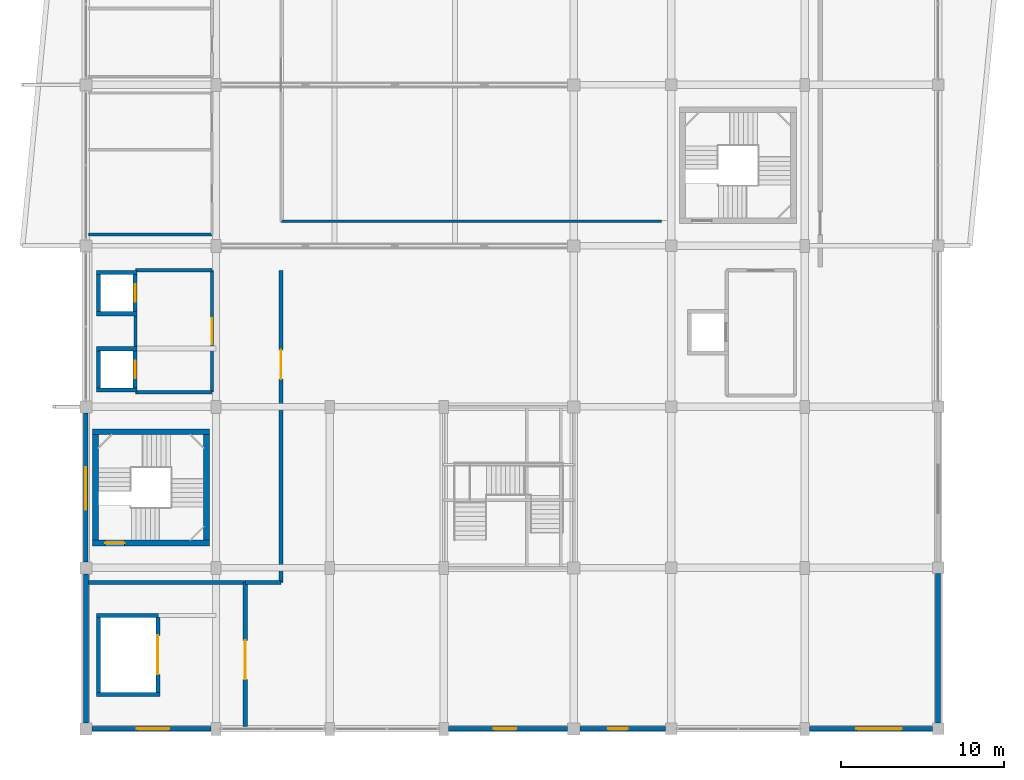
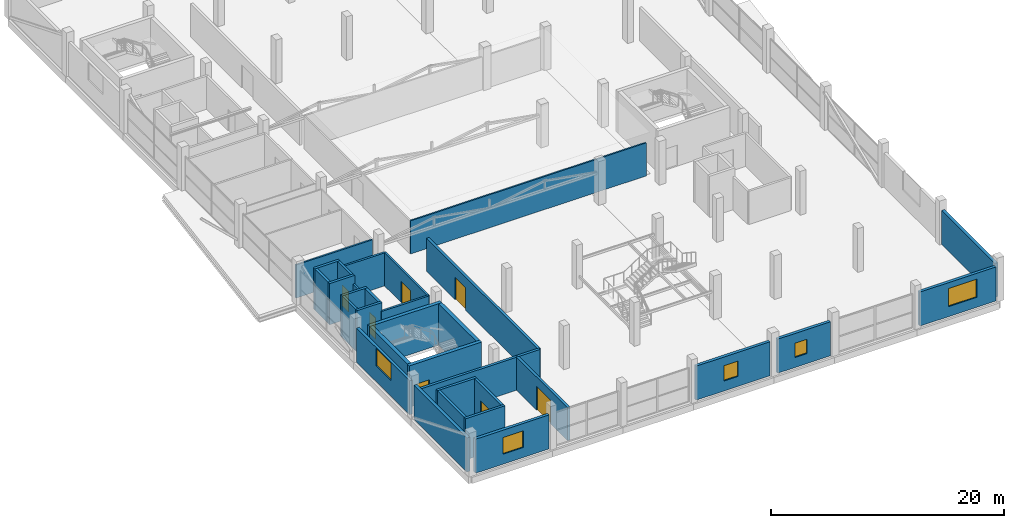
# One storey, part 41 of 58: 33 walls, 7 doors, 5 windows, 12 openings.
"""IFC4 building model written with IfcOpenShell, lengths in metres."""

from ifc_helpers import new_model, si_unit, direction, frame, frame_2d, origin, place, context, subcontext, project, spatial, rectangle, extrude, material, layer, layer_set, type_object, element, fill, save


model = new_model("IFC4")

# Units and contexts
model_context = context("Model", 3, precision=1e-05, world=origin(), true_north=direction((0.0, 1.0)))
body_context = subcontext(model_context, "Body", "Model", "MODEL_VIEW")
ifc_project = project(units=[si_unit("LENGTHUNIT", "METRE"), si_unit("AREAUNIT", "SQUARE_METRE"), si_unit("VOLUMEUNIT", "CUBIC_METRE"), si_unit("PLANEANGLEUNIT", "RADIAN"), si_unit("MASSUNIT", "GRAM", prefix="KILO")], contexts=[model_context])

# Site, building, storey
site_placement = place(None, origin())
site = spatial("IfcSite", under=ifc_project, at=site_placement, CompositionType="ELEMENT")
building_placement = place(site_placement, origin())
building = spatial("IfcBuilding", under=site, at=building_placement, Name="Sillaruma Civic Art Gallery", CompositionType="ELEMENT")
storey_placement = place(building_placement, frame((0.0, 0.0, 28.56005859375)))
storey = spatial("IfcBuildingStorey", under=building, at=storey_placement, Name="L05", CompositionType="ELEMENT", Elevation=28.56005859375)

# Wall, opening, door
ifc_material_1 = material(Name="Concrete H40 (40 MPa)", Category="concrete")
ifc_layer_1 = layer(ifc_material_1, 0.35009765625, Name="Concrete H40 (40 MPa)")
ifc_layer_set_1 = layer_set([ifc_layer_1], Name="Concrete H40 (40 MPa)")
wall_type_1 = type_object("IfcWallType", Name="WAL-CORE-350", PredefinedType="SHEAR", material=ifc_layer_set_1)
wall_1_placement = place(storey_placement, frame((62.409912109375, 31.235107421875, 0.0), z_axis=(0.0, 0.0, 1.0), x_axis=(1.0, 0.0, 0.0)))
wall_1 = element("IfcWall", 1, at=wall_1_placement, inside=storey, type_object=wall_type_1, Name="Stair Core Shear Wall W-CORE-350 (ST-03:L05:S)", PredefinedType="SHEAR", context=body_context, shape_type="SweptSolid", body=[
    extrude(rectangle(XDim=7.18017578125, YDim=0.35009765625, at=frame_2d((3.590087890625, 0.0))), origin(), (0.0, 0.0, 1.0), 4.349853515625),
])
opening_1_placement = place(wall_1_placement, frame((0.77001953125, 0.0, 0.0)))
opening_1 = element("IfcOpeningElement", 2, at=opening_1_placement, cuts=wall_1, Name="Opening D-STAIR", PredefinedType="OPENING", context=body_context, shape_type="SweptSolid", body=[
    extrude(rectangle(XDim=1.199951171875, YDim=2.199951171875, at=frame_2d((0.60009765625, 1.10009765625))), frame((0.0, 0.18505859375, 0.0), z_axis=(0.0, -1.0, 0.0), x_axis=(1.0, 0.0, 0.0)), (0.0, 0.0, 1.0), 0.3701171875),
])
ifc_material_2 = material(Name="Galvanised Steel ASTM A653 Gr.50", Category="steel")
door_type_1 = type_object("IfcDoorType", Name="DOR-STAIR-120", OperationType="NOTDEFINED", PredefinedType="DOOR", material=ifc_material_2)
door_1_placement = place(opening_1_placement, origin())
door_1 = element("IfcDoor", 3, at=door_1_placement, inside=storey, type_object=door_type_1, Name="Protected Stair Fire Door (ST-03:L05)", OperationType="SINGLE_SWING_LEFT", OverallHeight=2.199951171875, OverallWidth=1.199951171875, PredefinedType="DOOR", context=body_context, shape_type="SweptSolid", body=[
    extrude(rectangle(XDim=1.199951171875, YDim=2.199951171875, at=frame_2d((0.60009765625, 1.10009765625))), frame((0.0, 0.02490234375, 0.0), z_axis=(0.0, -1.0, 0.0), x_axis=(1.0, 0.0, 0.0)), (0.0, 0.0, 1.0), 0.050048828125),
])
fill(opening_1, door_1)

# Walls
wall_2_placement = place(storey_placement, frame((62.409912109375, 38.06494140625, 0.0), z_axis=(0.0, 0.0, 1.0), x_axis=(1.0, 0.0, 0.0)))
element("IfcWall", 4, at=wall_2_placement, inside=storey, type_object=wall_type_1, Name="Stair Core Shear Wall W-CORE-350 (ST-03:L05:N)", PredefinedType="SHEAR", context=body_context, shape_type="SweptSolid", body=[
    extrude(rectangle(XDim=7.18017578125, YDim=0.35009765625, at=frame_2d((3.590087890625, 0.0))), origin(), (0.0, 0.0, 1.0), 4.349853515625),
])
for number, where, z_axis, x_axis, name in (
    (5, (62.5849609375, 31.409912109375, 0.0), (0.0, 0.0, 1.0), (0.0, 1.0, 0.0), "Stair Core Shear Wall W-CORE-350 (ST-03:L05:W)"),
    (6, (69.4150390625, 31.409912109375, 0.0), (0.0, 0.0, 1.0), (0.0, 1.0, 0.0), "Stair Core Shear Wall W-CORE-350 (ST-03:L05:E)"),
):
    element("IfcWall", number, at=place(storey_placement, frame(where, z_axis=z_axis, x_axis=x_axis)), inside=storey, type_object=wall_type_1, Name=name, PredefinedType="SHEAR", context=body_context, shape_type="SweptSolid", body=[
        extrude(rectangle(XDim=6.47998046875, YDim=0.35009765625, at=frame_2d((3.239990234375, 0.0))), origin(), (0.0, 0.0, 1.0), 4.349853515625),
    ])

# Wall, opening, window
ifc_material_3 = material(Name="Concrete H35 (35 MPa)", Category="concrete")
ifc_layer_2 = layer(ifc_material_3, 0.159912109375, Name="Concrete backup", Category="concrete")
ifc_material_4 = material(Name="Mineral Wool Thermal Insulation", Category="insulation")
ifc_layer_3 = layer(ifc_material_4, 0.090087890625, Name="Thermal insulation", Category="insulation")
ifc_material_5 = material(Name="Anodised Zinc-Aluminium Alloy", Category="aluminium")
ifc_layer_4 = layer(ifc_material_5, 0.030029296875, Name="Rainscreen finish", Category="aluminium")
ifc_layer_set_2 = layer_set([ifc_layer_2, ifc_layer_3, ifc_layer_4], Name="W-EXT-280")
wall_type_2 = type_object("IfcWallType", Name="WAL-EXT-280", PredefinedType="SOLIDWALL", material=ifc_layer_set_2)
wall_3_placement = place(storey_placement, frame((62.0, 30.074951171875, 0.0), z_axis=(0.0, 0.0, 1.0), x_axis=(0.0, 1.0, 0.0)))
wall_3 = element("IfcWall", 7, at=wall_3_placement, inside=storey, type_object=wall_type_2, Name="Exterior Wall W-EXT-280 (EW-L05-W-2)", PredefinedType="SOLIDWALL", context=body_context, shape_type="SweptSolid", body=[
    extrude(rectangle(XDim=9.150146484375, YDim=0.280029296875, at=frame_2d((4.5751953125, 0.0))), origin(), (0.0, 0.0, 1.0), 3.56982421875),
])
opening_2_placement = place(wall_3_placement, frame((3.199951171875, 0.0, 1.64990234375)))
opening_2 = element("IfcOpeningElement", 8, at=opening_2_placement, cuts=wall_3, Name="Opening WN-08", PredefinedType="OPENING", context=body_context, shape_type="SweptSolid", body=[
    extrude(rectangle(XDim=2.60009765625, YDim=1.85009765625, at=frame_2d((1.300048828125, 0.925048828125))), frame((0.0, 0.14990234375, 0.0), z_axis=(0.0, -1.0, 0.0), x_axis=(1.0, 0.0, 0.0)), (0.0, 0.0, 1.0), 0.300048828125),
])
ifc_material_6 = material(Name="Thermally Broken Extruded Aluminium 6063-T6", Category="aluminium")
window_type_1 = type_object("IfcWindowType", Name="WIN-W08", PartitioningType="SINGLE_PANEL", PredefinedType="WINDOW", material=ifc_material_6)
window_1_placement = place(opening_2_placement, origin())
window_1 = element("IfcWindow", 9, at=window_1_placement, inside=storey, type_object=window_type_1, Name="Window WN-08 (EW-L05-W-2-1)", OverallHeight=1.85009765625, OverallWidth=2.60009765625, PartitioningType="SINGLE_PANEL", PredefinedType="WINDOW", context=body_context, shape_type="SweptSolid", body=[
    extrude(rectangle(XDim=2.60009765625, YDim=1.85009765625, at=frame_2d((1.300048828125, 0.925048828125))), frame((0.0, 0.030029296875, 0.0), z_axis=(0.0, -1.0, 0.0), x_axis=(1.0, 0.0, 0.0)), (0.0, 0.0, 1.0), 0.06005859375),
])
fill(opening_2, window_1)

ifc_layer_5 = layer(ifc_material_3, 0.169921875, Name="Concrete backup", Category="concrete")
ifc_layer_6 = layer(ifc_material_4, 0.090087890625, Name="Thermal insulation", Category="insulation")
ifc_layer_7 = layer(ifc_material_5, 0.030029296875, Name="Rainscreen finish", Category="aluminium")
ifc_layer_set_3 = layer_set([ifc_layer_5, ifc_layer_6, ifc_layer_7], Name="W-EXT-290")
wall_type_3 = type_object("IfcWallType", Name="WAL-EXT-290", PredefinedType="SOLIDWALL", material=ifc_layer_set_3)
wall_4_placement = place(storey_placement, frame((62.375, 19.800048828125, 0.0), z_axis=(0.0, 0.0, 1.0), x_axis=(1.0, 0.0, 0.0)))
wall_4 = element("IfcWall", 10, at=wall_4_placement, inside=storey, type_object=wall_type_3, Name="Exterior Wall W-EXT-290 (EW-L05-S-1)", PredefinedType="SOLIDWALL", context=body_context, shape_type="SweptSolid", body=[
    extrude(rectangle(XDim=7.324951171875, YDim=0.2900390625, at=frame_2d((3.66259765625, 0.0))), origin(), (0.0, 0.0, 1.0), 3.56982421875),
])
opening_3_placement = place(wall_4_placement, frame((2.762939453125, 0.0, 1.050048828125)))
opening_3 = element("IfcOpeningElement", 11, at=opening_3_placement, cuts=wall_4, Name="Opening WN-03", PredefinedType="OPENING", context=body_context, shape_type="SweptSolid", body=[
    extrude(rectangle(XDim=2.0, YDim=1.75, at=frame_2d((1.0, 0.875))), frame((0.0, 0.155029296875, 0.0), z_axis=(0.0, -1.0, 0.0), x_axis=(1.0, 0.0, 0.0)), (0.0, 0.0, 1.0), 0.31005859375),
])
window_type_2 = type_object("IfcWindowType", Name="WIN-W03", PartitioningType="SINGLE_PANEL", PredefinedType="WINDOW", material=ifc_material_6)
window_2_placement = place(opening_3_placement, origin())
window_2 = element("IfcWindow", 12, at=window_2_placement, inside=storey, type_object=window_type_2, Name="Window WN-03 (EW-L05-S-1-1)", OverallHeight=1.75, OverallWidth=2.0, PartitioningType="SINGLE_PANEL", PredefinedType="WINDOW", context=body_context, shape_type="SweptSolid", body=[
    extrude(rectangle(XDim=2.0, YDim=1.75, at=frame_2d((1.0, 0.875))), frame((0.0, 0.030029296875, 0.0), z_axis=(0.0, -1.0, 0.0), x_axis=(1.0, 0.0, 0.0)), (0.0, 0.0, 1.0), 0.06005859375),
])
fill(opening_3, window_2)

wall_5_placement = place(storey_placement, frame((84.300048828125, 19.800048828125, 0.0), z_axis=(0.0, 0.0, 1.0), x_axis=(1.0, 0.0, 0.0)))
wall_5 = element("IfcWall", 13, at=wall_5_placement, inside=storey, type_object=wall_type_3, Name="Exterior Wall W-EXT-290 (EW-L05-S-4)", PredefinedType="SOLIDWALL", context=body_context, shape_type="SweptSolid", body=[
    extrude(rectangle(XDim=7.324951171875, YDim=0.2900390625, at=frame_2d((3.66259765625, 0.0))), origin(), (0.0, 0.0, 1.0), 3.56982421875),
])
opening_4_placement = place(wall_5_placement, frame((2.762939453125, 0.0, 1.050048828125)))
opening_4 = element("IfcOpeningElement", 14, at=opening_4_placement, cuts=wall_5, Name="Opening WN-06", PredefinedType="OPENING", context=body_context, shape_type="SweptSolid", body=[
    extrude(rectangle(XDim=1.39990234375, YDim=1.60009765625, at=frame_2d((0.699951171875, 0.800048828125))), frame((0.0, 0.155029296875, 0.0), z_axis=(0.0, -1.0, 0.0), x_axis=(1.0, 0.0, 0.0)), (0.0, 0.0, 1.0), 0.31005859375),
])
window_type_3 = type_object("IfcWindowType", Name="WIN-W06", PartitioningType="SINGLE_PANEL", PredefinedType="WINDOW", material=ifc_material_6)
window_3_placement = place(opening_4_placement, origin())
window_3 = element("IfcWindow", 15, at=window_3_placement, inside=storey, type_object=window_type_3, Name="Window WN-06 (EW-L05-S-4-1)", OverallHeight=1.60009765625, OverallWidth=1.39990234375, PartitioningType="SINGLE_PANEL", PredefinedType="WINDOW", context=body_context, shape_type="SweptSolid", body=[
    extrude(rectangle(XDim=1.39990234375, YDim=1.60009765625, at=frame_2d((0.699951171875, 0.800048828125))), frame((0.0, 0.030029296875, 0.0), z_axis=(0.0, -1.0, 0.0), x_axis=(1.0, 0.0, 0.0)), (0.0, 0.0, 1.0), 0.06005859375),
])
fill(opening_4, window_3)

wall_6_placement = place(storey_placement, frame((92.375, 19.800048828125, 0.0), z_axis=(0.0, 0.0, 1.0), x_axis=(1.0, 0.0, 0.0)))
wall_6 = element("IfcWall", 16, at=wall_6_placement, inside=storey, type_object=wall_type_3, Name="Exterior Wall W-EXT-290 (EW-L05-S-5)", PredefinedType="SOLIDWALL", context=body_context, shape_type="SweptSolid", body=[
    extrude(rectangle(XDim=5.27490234375, YDim=0.2900390625, at=frame_2d((2.637451171875, 0.0))), origin(), (0.0, 0.0, 1.0), 3.56982421875),
])
opening_5_placement = place(wall_6_placement, frame((1.738037109375, 0.0, 1.050048828125)))
opening_5 = element("IfcOpeningElement", 17, at=opening_5_placement, cuts=wall_6, Name="Opening WN-07", PredefinedType="OPENING", context=body_context, shape_type="SweptSolid", body=[
    extrude(rectangle(XDim=1.199951171875, YDim=1.5, at=frame_2d((0.60009765625, 0.75))), frame((0.0, 0.155029296875, 0.0), z_axis=(0.0, -1.0, 0.0), x_axis=(1.0, 0.0, 0.0)), (0.0, 0.0, 1.0), 0.31005859375),
])
window_type_4 = type_object("IfcWindowType", Name="WIN-W07", PartitioningType="SINGLE_PANEL", PredefinedType="WINDOW", material=ifc_material_6)
window_4_placement = place(opening_5_placement, origin())
window_4 = element("IfcWindow", 18, at=window_4_placement, inside=storey, type_object=window_type_4, Name="Window WN-07 (EW-L05-S-5-1)", OverallHeight=1.5, OverallWidth=1.199951171875, PartitioningType="SINGLE_PANEL", PredefinedType="WINDOW", context=body_context, shape_type="SweptSolid", body=[
    extrude(rectangle(XDim=1.199951171875, YDim=1.5, at=frame_2d((0.60009765625, 0.75))), frame((0.0, 0.030029296875, 0.0), z_axis=(0.0, -1.0, 0.0), x_axis=(1.0, 0.0, 0.0)), (0.0, 0.0, 1.0), 0.06005859375),
])
fill(opening_5, window_4)

wall_7_placement = place(storey_placement, frame((106.5, 19.800048828125, 0.0), z_axis=(0.0, 0.0, 1.0), x_axis=(1.0, 0.0, 0.0)))
wall_7 = element("IfcWall", 19, at=wall_7_placement, inside=storey, type_object=wall_type_3, Name="Exterior Wall W-EXT-290 (EW-L05-S-7)", PredefinedType="SOLIDWALL", context=body_context, shape_type="SweptSolid", body=[
    extrude(rectangle(XDim=7.550048828125, YDim=0.2900390625, at=frame_2d((3.77490234375, 0.0))), origin(), (0.0, 0.0, 1.0), 3.56982421875),
])
opening_6_placement = place(wall_7_placement, frame((2.875, 0.0, 1.050048828125)))
opening_6 = element("IfcOpeningElement", 20, at=opening_6_placement, cuts=wall_7, Name="Opening WN-09", PredefinedType="OPENING", context=body_context, shape_type="SweptSolid", body=[
    extrude(rectangle(XDim=2.800048828125, YDim=1.89990234375, at=frame_2d((1.39990234375, 0.949951171875))), frame((0.0, 0.155029296875, 0.0), z_axis=(0.0, -1.0, 0.0), x_axis=(1.0, 0.0, 0.0)), (0.0, 0.0, 1.0), 0.31005859375),
])
window_type_5 = type_object("IfcWindowType", Name="WIN-W09", PartitioningType="SINGLE_PANEL", PredefinedType="WINDOW", material=ifc_material_6)
window_5_placement = place(opening_6_placement, origin())
window_5 = element("IfcWindow", 21, at=window_5_placement, inside=storey, type_object=window_type_5, Name="Window WN-09 (EW-L05-S-7-1)", OverallHeight=1.89990234375, OverallWidth=2.800048828125, PartitioningType="SINGLE_PANEL", PredefinedType="WINDOW", context=body_context, shape_type="SweptSolid", body=[
    extrude(rectangle(XDim=2.800048828125, YDim=1.89990234375, at=frame_2d((1.39990234375, 0.949951171875))), frame((0.0, 0.030029296875, 0.0), z_axis=(0.0, -1.0, 0.0), x_axis=(1.0, 0.0, 0.0)), (0.0, 0.0, 1.0), 0.06005859375),
])
fill(opening_6, window_5)

# Walls
ifc_material_7 = material(Name="Precast Concrete H35 (35 MPa)", Category="concrete")
ifc_layer_8 = layer(ifc_material_7, 0.179931640625, Name="Precast backup", Category="concrete")
ifc_layer_9 = layer(ifc_material_4, 0.090087890625, Name="Thermal insulation", Category="insulation")
ifc_material_8 = material(Name="Comanche Granitic Ashlar Stone", Category="masonry")
ifc_layer_10 = layer(ifc_material_8, 0.030029296875, Name="Rainscreen cladding", Category="masonry")
ifc_layer_set_4 = layer_set([ifc_layer_8, ifc_layer_9, ifc_layer_10], Name="W-EXT-300")
wall_type_4 = type_object("IfcWallType", Name="WAL-EXT-300", PredefinedType="SOLIDWALL", material=ifc_layer_set_4)
wall_8_placement = place(storey_placement, frame((62.0, 20.175048828125, 0.0), z_axis=(0.0, 0.0, 1.0), x_axis=(0.0, 1.0, 0.0)))
element("IfcWall", 22, at=wall_8_placement, inside=storey, type_object=wall_type_4, Name="Exterior Wall W-EXT-300 (EW-L05-W-1)", PredefinedType="SOLIDWALL", context=body_context, shape_type="SweptSolid", body=[
    extrude(rectangle(XDim=9.14990234375, YDim=0.300048828125, at=frame_2d((4.574951171875, 0.0))), origin(), (0.0, 0.0, 1.0), 3.56982421875),
])
wall_9_placement = place(storey_placement, frame((114.39990234375, 20.14990234375, 0.0), z_axis=(0.0, 0.0, 1.0), x_axis=(0.0, 1.0, 0.0)))
element("IfcWall", 23, at=wall_9_placement, inside=storey, type_object=wall_type_4, Name="Exterior Wall W-EXT-300 (EW-L05-E-1)", PredefinedType="SOLIDWALL", context=body_context, shape_type="SweptSolid", body=[
    extrude(rectangle(XDim=9.2001953125, YDim=0.300048828125, at=frame_2d((4.60009765625, 0.0))), origin(), (0.0, 0.0, 1.0), 3.56982421875),
])
ifc_material_9 = material(Name="Concrete Masonry Unit Grade M15", Category="masonry")
ifc_layer_11 = layer(ifc_material_9, 0.199951171875, Name="Concrete Masonry Unit Grade M15")
ifc_layer_set_5 = layer_set([ifc_layer_11], Name="Concrete Masonry Unit Grade M15")
wall_type_5 = type_object("IfcWallType", Name="WAL-LOBBY-200", PredefinedType="SOLIDWALL", material=ifc_layer_set_5)
for number, where, z_axis, x_axis, name in (
    (24, (65.050048828125, 40.5, 0.0), (0.0, 0.0, 1.0), (1.0, 0.0, 0.0), "Interior Wall W-LOBBY-200 (L05-LLW)"),
    (25, (65.050048828125, 48.0, 0.0), (0.0, 0.0, 1.0), (1.0, 0.0, 0.0), "Interior Wall W-LOBBY-200 (L05-LLW)"),
):
    element("IfcWall", number, at=place(storey_placement, frame(where, z_axis=z_axis, x_axis=x_axis)), inside=storey, type_object=wall_type_5, Name=name, PredefinedType="SOLIDWALL", context=body_context, shape_type="SweptSolid", body=[
        extrude(rectangle(XDim=4.699951171875, YDim=0.199951171875, at=frame_2d((2.35009765625, 0.0))), origin(), (0.0, 0.0, 1.0), 3.469970703125),
    ])
wall_10_placement = place(storey_placement, frame((65.050048828125, 43.300048828125, 0.0), z_axis=(0.0, 0.0, 1.0), x_axis=(0.0, 1.0, 0.0)))
element("IfcWall", 26, at=wall_10_placement, inside=storey, type_object=wall_type_5, Name="Interior Wall W-LOBBY-200 (L05-LLW)", PredefinedType="SOLIDWALL", context=body_context, shape_type="SweptSolid", body=[
    extrude(rectangle(XDim=1.89990234375, YDim=0.199951171875, at=frame_2d((0.949951171875, 0.0))), origin(), (0.0, 0.0, 1.0), 3.469970703125),
])

# Wall, opening, door
wall_11_placement = place(storey_placement, frame((69.75, 40.5, 0.0), z_axis=(0.0, 0.0, 1.0), x_axis=(0.0, 1.0, 0.0)))
wall_11 = element("IfcWall", 27, at=wall_11_placement, inside=storey, type_object=wall_type_5, Name="Interior Wall W-LOBBY-200 (L05-LLW)", PredefinedType="SOLIDWALL", context=body_context, shape_type="SweptSolid", body=[
    extrude(rectangle(XDim=7.5, YDim=0.199951171875, at=frame_2d((3.75, 0.0))), origin(), (0.0, 0.0, 1.0), 3.469970703125),
])
opening_7_placement = place(wall_11_placement, frame((2.949951171875, 0.0, 0.0)))
opening_7 = element("IfcOpeningElement", 28, at=opening_7_placement, cuts=wall_11, Name="Opening D-LOBBY", PredefinedType="OPENING", context=body_context, shape_type="SweptSolid", body=[
    extrude(rectangle(XDim=1.60009765625, YDim=2.199951171875, at=frame_2d((0.800048828125, 1.10009765625))), frame((0.0, 0.10986328125, 0.0), z_axis=(0.0, -1.0, 0.0), x_axis=(1.0, 0.0, 0.0)), (0.0, 0.0, 1.0), 0.219970703125),
])
door_type_2 = type_object("IfcDoorType", Name="DOR-LOBBY-160", OperationType="NOTDEFINED", PredefinedType="DOOR", material=ifc_material_6)
door_2_placement = place(opening_7_placement, origin())
door_2 = element("IfcDoor", 29, at=door_2_placement, inside=storey, type_object=door_type_2, Name="West Lift Lobby Door (D-LOBBY)", OperationType="DOUBLE_DOOR_SINGLE_SWING", OverallHeight=2.199951171875, OverallWidth=1.60009765625, PredefinedType="DOOR", context=body_context, shape_type="SweptSolid", body=[
    extrude(rectangle(XDim=1.60009765625, YDim=2.199951171875, at=frame_2d((0.800048828125, 1.10009765625))), frame((0.0, 0.02490234375, 0.0), z_axis=(0.0, -1.0, 0.0), x_axis=(1.0, 0.0, 0.0)), (0.0, 0.0, 1.0), 0.050048828125),
])
fill(opening_7, door_2)

# Walls
ifc_material_10 = material(Name="Gypsum Acoustic Board", Category="gypsum")
ifc_layer_12 = layer(ifc_material_10, 0.02490234375, Name="Finish board", Category="gypsum")
ifc_layer_13 = layer(ifc_material_4, 0.10009765625, Name="Acoustic core", Category="insulation")
ifc_material_11 = material(Name="Andean Oak Timber", Category="wood")
ifc_layer_14 = layer(ifc_material_11, 0.02490234375, Name="Gallery lining", Category="wood")
ifc_layer_set_6 = layer_set([ifc_layer_12, ifc_layer_13, ifc_layer_14], Name="W-PT-150")
wall_type_6 = type_object("IfcWallType", Name="WAL-PART-150", PredefinedType="PARTITIONING", material=ifc_layer_set_6)
wall_12_placement = place(storey_placement, frame((74.0, 51.0, 0.0), z_axis=(0.0, 0.0, 1.0), x_axis=(1.0, 0.0, 0.0)))
element("IfcWall", 30, at=wall_12_placement, inside=storey, type_object=wall_type_6, Name="Interior Wall W-PT-150 (L05-GAL51)", PredefinedType="PARTITIONING", context=body_context, shape_type="SweptSolid", body=[
    extrude(rectangle(XDim=23.39990234375, YDim=0.14990234375, at=frame_2d((11.699951171875, 0.0))), origin(), (0.0, 0.0, 1.0), 3.469970703125),
])
ifc_layer_15 = layer(ifc_material_10, 0.02490234375, Name="Finish board", Category="gypsum")
ifc_layer_16 = layer(ifc_material_4, 0.114990234375, Name="Acoustic core", Category="insulation")
ifc_layer_17 = layer(ifc_material_11, 0.02490234375, Name="Gallery lining", Category="wood")
ifc_layer_set_7 = layer_set([ifc_layer_15, ifc_layer_16, ifc_layer_17], Name="W-PT-165")
wall_type_7 = type_object("IfcWallType", Name="WAL-PART-165", PredefinedType="PARTITIONING", material=ifc_layer_set_7)
wall_13_placement = place(storey_placement, frame((62.14990234375, 50.199951171875, 0.0), z_axis=(0.0, 0.0, 1.0), x_axis=(1.0, 0.0, 0.0)))
element("IfcWall", 31, at=wall_13_placement, inside=storey, type_object=wall_type_7, Name="Interior Wall W-PT-165 (L05-WC1)", PredefinedType="PARTITIONING", context=body_context, shape_type="SweptSolid", body=[
    extrude(rectangle(XDim=7.60009765625, YDim=0.1650390625, at=frame_2d((3.800048828125, 0.0))), origin(), (0.0, 0.0, 1.0), 3.469970703125),
])
ifc_layer_18 = layer(ifc_material_1, 0.25, Name="Concrete H40 (40 MPa)")
ifc_layer_set_8 = layer_set([ifc_layer_18], Name="Concrete H40 (40 MPa)")
wall_type_8 = type_object("IfcWallType", Name="WAL-SHAFT-250", PredefinedType="SOLIDWALL", material=ifc_layer_set_8)
for number, where, z_axis, x_axis, name in (
    (32, (62.64990234375, 40.625, 0.0), (0.0, 0.0, 1.0), (1.0, 0.0, 0.0), "Lift Shaft Wall W-SHAFT-250 (PL-01:L05:S)"),
    (33, (62.64990234375, 43.175048828125, 0.0), (0.0, 0.0, 1.0), (1.0, 0.0, 0.0), "Lift Shaft Wall W-SHAFT-250 (PL-01:L05:N)"),
):
    element("IfcWall", number, at=place(storey_placement, frame(where, z_axis=z_axis, x_axis=x_axis)), inside=storey, type_object=wall_type_8, Name=name, PredefinedType="SOLIDWALL", context=body_context, shape_type="SweptSolid", body=[
        extrude(rectangle(XDim=2.5, YDim=0.25, at=frame_2d((1.25, 0.0))), origin(), (0.0, 0.0, 1.0), 4.329833984375),
    ])
wall_14_placement = place(storey_placement, frame((62.77490234375, 40.75, 0.0), z_axis=(0.0, 0.0, 1.0), x_axis=(0.0, 1.0, 0.0)))
element("IfcWall", 34, at=wall_14_placement, inside=storey, type_object=wall_type_8, Name="Lift Shaft Wall W-SHAFT-250 (PL-01:L05:W)", PredefinedType="SOLIDWALL", context=body_context, shape_type="SweptSolid", body=[
    extrude(rectangle(XDim=2.300048828125, YDim=0.25, at=frame_2d((1.14990234375, 0.0))), origin(), (0.0, 0.0, 1.0), 4.329833984375),
])

# Wall, opening, door
wall_15_placement = place(storey_placement, frame((65.02490234375, 40.75, 0.0), z_axis=(0.0, 0.0, 1.0), x_axis=(0.0, 1.0, 0.0)))
wall_15 = element("IfcWall", 35, at=wall_15_placement, inside=storey, type_object=wall_type_8, Name="Lift Shaft Wall W-SHAFT-250 (PL-01:L05:E)", PredefinedType="SOLIDWALL", context=body_context, shape_type="SweptSolid", body=[
    extrude(rectangle(XDim=2.300048828125, YDim=0.25, at=frame_2d((1.14990234375, 0.0))), origin(), (0.0, 0.0, 1.0), 4.329833984375),
])
opening_8_placement = place(wall_15_placement, frame((0.60009765625, 0.0, 0.0)))
opening_8 = element("IfcOpeningElement", 36, at=opening_8_placement, cuts=wall_15, Name="Opening LD-01", PredefinedType="OPENING", context=body_context, shape_type="SweptSolid", body=[
    extrude(rectangle(XDim=1.10009765625, YDim=2.199951171875, at=frame_2d((0.550048828125, 1.10009765625))), frame((0.0, 0.135009765625, 0.0), z_axis=(0.0, -1.0, 0.0), x_axis=(1.0, 0.0, 0.0)), (0.0, 0.0, 1.0), 0.27001953125),
])
door_type_3 = type_object("IfcDoorType", Name="DOR-LD-01", OperationType="NOTDEFINED", PredefinedType="DOOR", material=ifc_material_2)
door_3_placement = place(opening_8_placement, origin())
door_3 = element("IfcDoor", 37, at=door_3_placement, inside=storey, type_object=door_type_3, Name="Lift Sliding Landing Door LD-01 (PL-01:L05)", OperationType="DOUBLE_DOOR_SLIDING", OverallHeight=2.199951171875, OverallWidth=1.10009765625, PredefinedType="DOOR", context=body_context, shape_type="SweptSolid", body=[
    extrude(rectangle(XDim=1.10009765625, YDim=2.199951171875, at=frame_2d((0.550048828125, 1.10009765625))), frame((0.0, 0.02490234375, 0.0), z_axis=(0.0, -1.0, 0.0), x_axis=(1.0, 0.0, 0.0)), (0.0, 0.0, 1.0), 0.050048828125),
])
fill(opening_8, door_3)

# Walls
for number, where, z_axis, x_axis, name in (
    (38, (62.64990234375, 45.324951171875, 0.0), (0.0, 0.0, 1.0), (1.0, 0.0, 0.0), "Lift Shaft Wall W-SHAFT-250 (PL-02:L05:S)"),
    (39, (62.64990234375, 47.875, 0.0), (0.0, 0.0, 1.0), (1.0, 0.0, 0.0), "Lift Shaft Wall W-SHAFT-250 (PL-02:L05:N)"),
):
    element("IfcWall", number, at=place(storey_placement, frame(where, z_axis=z_axis, x_axis=x_axis)), inside=storey, type_object=wall_type_8, Name=name, PredefinedType="SOLIDWALL", context=body_context, shape_type="SweptSolid", body=[
        extrude(rectangle(XDim=2.5, YDim=0.25, at=frame_2d((1.25, 0.0))), origin(), (0.0, 0.0, 1.0), 4.329833984375),
    ])
wall_16_placement = place(storey_placement, frame((62.77490234375, 45.449951171875, 0.0), z_axis=(0.0, 0.0, 1.0), x_axis=(0.0, 1.0, 0.0)))
element("IfcWall", 40, at=wall_16_placement, inside=storey, type_object=wall_type_8, Name="Lift Shaft Wall W-SHAFT-250 (PL-02:L05:W)", PredefinedType="SOLIDWALL", context=body_context, shape_type="SweptSolid", body=[
    extrude(rectangle(XDim=2.300048828125, YDim=0.25, at=frame_2d((1.14990234375, 0.0))), origin(), (0.0, 0.0, 1.0), 4.329833984375),
])

# Wall, opening, door
wall_17_placement = place(storey_placement, frame((65.02490234375, 45.449951171875, 0.0), z_axis=(0.0, 0.0, 1.0), x_axis=(0.0, 1.0, 0.0)))
wall_17 = element("IfcWall", 41, at=wall_17_placement, inside=storey, type_object=wall_type_8, Name="Lift Shaft Wall W-SHAFT-250 (PL-02:L05:E)", PredefinedType="SOLIDWALL", context=body_context, shape_type="SweptSolid", body=[
    extrude(rectangle(XDim=2.300048828125, YDim=0.25, at=frame_2d((1.14990234375, 0.0))), origin(), (0.0, 0.0, 1.0), 4.329833984375),
])
opening_9_placement = place(wall_17_placement, frame((0.60009765625, 0.0, 0.0)))
opening_9 = element("IfcOpeningElement", 42, at=opening_9_placement, cuts=wall_17, Name="Opening LD-01", PredefinedType="OPENING", context=body_context, shape_type="SweptSolid", body=[
    extrude(rectangle(XDim=1.10009765625, YDim=2.199951171875, at=frame_2d((0.550048828125, 1.10009765625))), frame((0.0, 0.135009765625, 0.0), z_axis=(0.0, -1.0, 0.0), x_axis=(1.0, 0.0, 0.0)), (0.0, 0.0, 1.0), 0.27001953125),
])
door_4_placement = place(opening_9_placement, origin())
door_4 = element("IfcDoor", 43, at=door_4_placement, inside=storey, type_object=door_type_3, Name="Lift Sliding Landing Door LD-01 (PL-02:L05)", OperationType="DOUBLE_DOOR_SLIDING", OverallHeight=2.199951171875, OverallWidth=1.10009765625, PredefinedType="DOOR", context=body_context, shape_type="SweptSolid", body=[
    extrude(rectangle(XDim=1.10009765625, YDim=2.199951171875, at=frame_2d((0.550048828125, 1.10009765625))), frame((0.0, 0.02490234375, 0.0), z_axis=(0.0, -1.0, 0.0), x_axis=(1.0, 0.0, 0.0)), (0.0, 0.0, 1.0), 0.050048828125),
])
fill(opening_9, door_4)

# Walls
for number, where, z_axis, x_axis, name in (
    (44, (62.64990234375, 21.925048828125, 0.0), (0.0, 0.0, 1.0), (1.0, 0.0, 0.0), "Lift Shaft Wall W-SHAFT-250 (GL-01:L05:S)"),
    (45, (62.64990234375, 26.77490234375, 0.0), (0.0, 0.0, 1.0), (1.0, 0.0, 0.0), "Lift Shaft Wall W-SHAFT-250 (GL-01:L05:N)"),
):
    element("IfcWall", number, at=place(storey_placement, frame(where, z_axis=z_axis, x_axis=x_axis)), inside=storey, type_object=wall_type_8, Name=name, PredefinedType="SOLIDWALL", context=body_context, shape_type="SweptSolid", body=[
        extrude(rectangle(XDim=3.900146484375, YDim=0.25, at=frame_2d((1.9501953125, 0.0))), origin(), (0.0, 0.0, 1.0), 4.329833984375),
    ])
wall_18_placement = place(storey_placement, frame((62.77490234375, 22.050048828125, 0.0), z_axis=(0.0, 0.0, 1.0), x_axis=(0.0, 1.0, 0.0)))
element("IfcWall", 46, at=wall_18_placement, inside=storey, type_object=wall_type_8, Name="Lift Shaft Wall W-SHAFT-250 (GL-01:L05:W)", PredefinedType="SOLIDWALL", context=body_context, shape_type="SweptSolid", body=[
    extrude(rectangle(XDim=4.599853515625, YDim=0.25, at=frame_2d((2.2998046875, 0.0))), origin(), (0.0, 0.0, 1.0), 4.329833984375),
])

# Wall, opening, door
wall_19_placement = place(storey_placement, frame((66.425048828125, 22.050048828125, 0.0), z_axis=(0.0, 0.0, 1.0), x_axis=(0.0, 1.0, 0.0)))
wall_19 = element("IfcWall", 47, at=wall_19_placement, inside=storey, type_object=wall_type_8, Name="Lift Shaft Wall W-SHAFT-250 (GL-01:L05:E)", PredefinedType="SOLIDWALL", context=body_context, shape_type="SweptSolid", body=[
    extrude(rectangle(XDim=4.599853515625, YDim=0.25, at=frame_2d((2.2998046875, 0.0))), origin(), (0.0, 0.0, 1.0), 4.329833984375),
])
opening_10_placement = place(wall_19_placement, frame((1.10009765625, 0.0, 0.0)))
opening_10 = element("IfcOpeningElement", 48, at=opening_10_placement, cuts=wall_19, Name="Opening LD-03", PredefinedType="OPENING", context=body_context, shape_type="SweptSolid", body=[
    extrude(rectangle(XDim=2.39990234375, YDim=2.64990234375, at=frame_2d((1.199951171875, 1.324951171875))), frame((0.0, 0.135009765625, 0.0), z_axis=(0.0, -1.0, 0.0), x_axis=(1.0, 0.0, 0.0)), (0.0, 0.0, 1.0), 0.27001953125),
])
door_type_4 = type_object("IfcDoorType", Name="DOR-LD-03", OperationType="NOTDEFINED", PredefinedType="DOOR", material=ifc_material_2)
door_5_placement = place(opening_10_placement, origin())
door_5 = element("IfcDoor", 49, at=door_5_placement, inside=storey, type_object=door_type_4, Name="Lift Sliding Landing Door LD-03 (GL-01:L05)", OperationType="DOUBLE_DOOR_SLIDING", OverallHeight=2.64990234375, OverallWidth=2.39990234375, PredefinedType="DOOR", context=body_context, shape_type="SweptSolid", body=[
    extrude(rectangle(XDim=2.39990234375, YDim=2.64990234375, at=frame_2d((1.199951171875, 1.324951171875))), frame((0.0, 0.02490234375, 0.0), z_axis=(0.0, -1.0, 0.0), x_axis=(1.0, 0.0, 0.0)), (0.0, 0.0, 1.0), 0.050048828125),
])
fill(opening_10, door_5)

# Wall
ifc_layer_19 = layer(ifc_material_9, 0.2548828125, Name="Concrete Masonry Unit Grade M15")
ifc_layer_set_9 = layer_set([ifc_layer_19], Name="Concrete Masonry Unit Grade M15")
wall_type_9 = type_object("IfcWallType", Name="WAL-STORE-250", PredefinedType="SOLIDWALL", material=ifc_layer_set_9)
wall_20_placement = place(storey_placement, frame((62.14990234375, 28.800048828125, 0.0), z_axis=(0.0, 0.0, 1.0), x_axis=(1.0, 0.0, 0.0)))
element("IfcWall", 50, at=wall_20_placement, inside=storey, type_object=wall_type_9, Name="Interior Wall W-STORE-250 (L05-AIR)", PredefinedType="SOLIDWALL", context=body_context, shape_type="SweptSolid", body=[
    extrude(rectangle(XDim=9.650146484375, YDim=0.2548828125, at=frame_2d((4.8251953125, 0.0))), origin(), (0.0, 0.0, 1.0), 3.469970703125),
])

# Wall, opening, door
wall_21_placement = place(storey_placement, frame((71.800048828125, 19.949951171875, 0.0), z_axis=(0.0, 0.0, 1.0), x_axis=(0.0, 1.0, 0.0)))
wall_21 = element("IfcWall", 51, at=wall_21_placement, inside=storey, type_object=wall_type_9, Name="Interior Wall W-STORE-250 (L05-AIR)", PredefinedType="SOLIDWALL", context=body_context, shape_type="SweptSolid", body=[
    extrude(rectangle(XDim=8.85009765625, YDim=0.2548828125, at=frame_2d((4.425048828125, 0.0))), origin(), (0.0, 0.0, 1.0), 3.469970703125),
])
opening_11_placement = place(wall_21_placement, frame((2.89990234375, 0.0, 0.0)))
opening_11 = element("IfcOpeningElement", 52, at=opening_11_placement, cuts=wall_21, Name="Opening D-STR24", PredefinedType="OPENING", context=body_context, shape_type="SweptSolid", body=[
    extrude(rectangle(XDim=2.39990234375, YDim=2.5, at=frame_2d((1.199951171875, 1.25))), frame((0.0, 0.137451171875, 0.0), z_axis=(0.0, -1.0, 0.0), x_axis=(1.0, 0.0, 0.0)), (0.0, 0.0, 1.0), 0.27490234375),
])
door_type_5 = type_object("IfcDoorType", Name="DOR-STORE-240", OperationType="NOTDEFINED", PredefinedType="DOOR", material=ifc_material_2)
door_6_placement = place(opening_11_placement, origin())
door_6 = element("IfcDoor", 53, at=door_6_placement, inside=storey, type_object=door_type_5, Name="Crate Airlock Door (D-STR24)", OperationType="DOUBLE_DOOR_SINGLE_SWING", OverallHeight=2.5, OverallWidth=2.39990234375, PredefinedType="DOOR", context=body_context, shape_type="SweptSolid", body=[
    extrude(rectangle(XDim=2.39990234375, YDim=2.5, at=frame_2d((1.199951171875, 1.25))), frame((0.0, 0.02490234375, 0.0), z_axis=(0.0, -1.0, 0.0), x_axis=(1.0, 0.0, 0.0)), (0.0, 0.0, 1.0), 0.050048828125),
])
fill(opening_11, door_6)

wall_22_placement = place(storey_placement, frame((74.0, 28.800048828125, 0.0), z_axis=(0.0, 0.0, 1.0), x_axis=(0.0, 1.0, 0.0)))
wall_22 = element("IfcWall", 54, at=wall_22_placement, inside=storey, type_object=wall_type_9, Name="Interior Wall W-STORE-250 (L05-STR52)", PredefinedType="SOLIDWALL", context=body_context, shape_type="SweptSolid", body=[
    extrude(rectangle(XDim=19.199951171875, YDim=0.2548828125, at=frame_2d((9.60009765625, 0.0))), origin(), (0.0, 0.0, 1.0), 3.469970703125),
])
opening_12_placement = place(wall_22_placement, frame((12.5, 0.0, 0.0)))
opening_12 = element("IfcOpeningElement", 55, at=opening_12_placement, cuts=wall_22, Name="Opening D-STR18", PredefinedType="OPENING", context=body_context, shape_type="SweptSolid", body=[
    extrude(rectangle(XDim=1.800048828125, YDim=2.35009765625, at=frame_2d((0.89990234375, 1.175048828125))), frame((0.0, 0.137451171875, 0.0), z_axis=(0.0, -1.0, 0.0), x_axis=(1.0, 0.0, 0.0)), (0.0, 0.0, 1.0), 0.27490234375),
])
door_type_6 = type_object("IfcDoorType", Name="DOR-STORE-180", OperationType="NOTDEFINED", PredefinedType="DOOR", material=ifc_material_2)
door_7_placement = place(opening_12_placement, origin())
door_7 = element("IfcDoor", 56, at=door_7_placement, inside=storey, type_object=door_type_6, Name="South Collection Vault Art Store Door (D-STR18)", OperationType="DOUBLE_DOOR_SINGLE_SWING", OverallHeight=2.35009765625, OverallWidth=1.800048828125, PredefinedType="DOOR", context=body_context, shape_type="SweptSolid", body=[
    extrude(rectangle(XDim=1.800048828125, YDim=2.35009765625, at=frame_2d((0.89990234375, 1.175048828125))), frame((0.0, 0.02490234375, 0.0), z_axis=(0.0, -1.0, 0.0), x_axis=(1.0, 0.0, 0.0)), (0.0, 0.0, 1.0), 0.050048828125),
])
fill(opening_12, door_7)

# Wall
wall_23_placement = place(storey_placement, frame((71.800048828125, 28.800048828125, 0.0), z_axis=(0.0, 0.0, 1.0), x_axis=(1.0, 0.0, 0.0)))
element("IfcWall", 57, at=wall_23_placement, inside=storey, type_object=wall_type_9, Name="Interior Wall W-STORE-250 (L05-STR52)", PredefinedType="SOLIDWALL", context=body_context, shape_type="SweptSolid", body=[
    extrude(rectangle(XDim=2.199951171875, YDim=0.2548828125, at=frame_2d((1.10009765625, 0.0))), origin(), (0.0, 0.0, 1.0), 3.469970703125),
])

save(model, "model.ifc")
